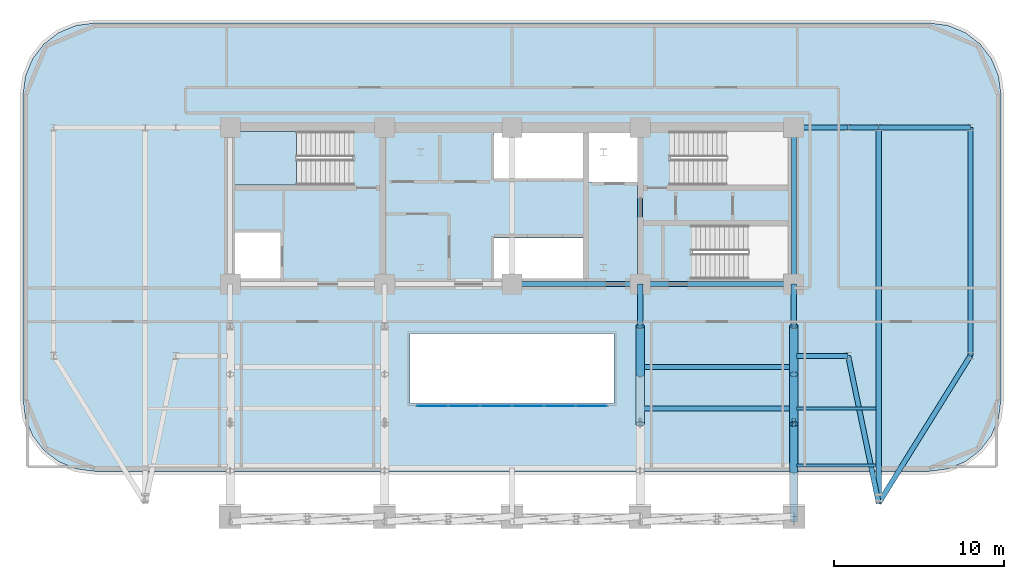
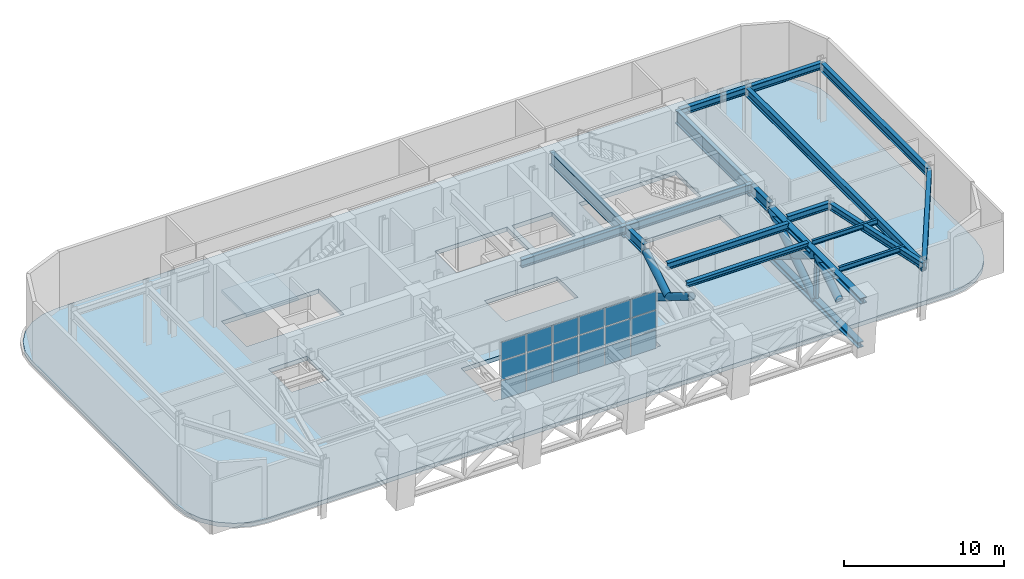
# One storey, part 5 of 13: 18 beams, 18 plates, 9 members, 2 slabs, 2 elements without a shape of their own.
"""IFC4 building model written with IfcOpenShell, lengths in metres."""

import ifcopenshell
import ifcopenshell.guid

model = None  # the IFC model being written
_history = None  # IfcOwnerHistory: only IFC2X3 demands one
_inside = {}  # id of a spatial element -> (the spatial element, [elements in it])
_under = {}  # id of a project, library or spatial element -> (it, [spatial elements below it])
_declared = {}  # id of a project -> (the project, [libraries it declares])
_typed = {}  # id of a type object -> (the type object, [elements of that type])
_made_of = {}  # id of a material, layer set ... -> (it, [elements and type objects made of it])


def new_model(schema):
    """Start an empty IFC model of exactly this schema.

    Asked for "IFC4X3", IfcOpenShell would pick the latest addendum, in which some entities
    have other attributes; the version numbers below select the first issue.
    IFC2X3 requires an IfcOwnerHistory on every rooted entity: one is made here for all.
    """
    global model, _history
    if schema == "IFC4X3":
        model = ifcopenshell.file(schema_version=(4, 3, 0, 0))
    else:
        model = ifcopenshell.file(schema=schema)
    _inside.clear()
    _under.clear()
    _declared.clear()
    _typed.clear()
    _made_of.clear()
    _history = None
    if model.schema == "IFC2X3":
        org = make("IfcOrganization", Name="unknown")
        user = make(
            "IfcPersonAndOrganization",
            ThePerson=make("IfcPerson", FamilyName="unknown"),
            TheOrganization=org,
        )
        app = make(
            "IfcApplication",
            ApplicationDeveloper=org,
            Version="unknown",
            ApplicationFullName="unknown",
            ApplicationIdentifier="unknown",
        )
        _history = make(
            "IfcOwnerHistory",
            OwningUser=user,
            OwningApplication=app,
            ChangeAction="ADDED",
            CreationDate=0,
        )
    return model


def make(cls, **values):
    """One entity of the class cls with the attributes given. An attribute that is None is left unset."""
    return model.create_entity(
        cls, **{name: value for name, value in values.items() if value is not None}
    )


def rooted(cls, **values):
    """An entity with a GlobalId (a new one), such as an element, a storey or a relation."""
    return make(cls, GlobalId=ifcopenshell.guid.new(), OwnerHistory=_history, **values)


def si_unit(unit_type, name, prefix=None):
    """IfcSIUnit, for example si_unit("LENGTHUNIT", "METRE", prefix="MILLI")."""
    return make("IfcSIUnit", UnitType=unit_type, Prefix=prefix, Name=name)


def assignment(units):
    """IfcUnitAssignment: the units of a project."""
    return None if units is None else make("IfcUnitAssignment", Units=units)


def point(xyz):
    """IfcCartesianPoint."""
    return None if xyz is None else make("IfcCartesianPoint", Coordinates=xyz)


def direction(xyz):
    """IfcDirection."""
    return None if xyz is None else make("IfcDirection", DirectionRatios=xyz)


def frame(location, z_axis=None, x_axis=None):
    """IfcAxis2Placement3D, a coordinate frame: its origin and axes. An axis left out is left unset."""
    return make(
        "IfcAxis2Placement3D",
        Location=point(location),
        Axis=direction(z_axis),
        RefDirection=direction(x_axis),
    )


def frame_2d(location, x_axis=None):
    """IfcAxis2Placement2D, a coordinate frame in the plane: its origin and x axis."""
    return make(
        "IfcAxis2Placement2D", Location=point(location), RefDirection=direction(x_axis)
    )


def origin():
    """The frame at (0, 0, 0) with its axes left unset."""
    return frame((0.0, 0.0, 0.0))


def origin_2d():
    """The frame at (0, 0) in the plane with its x axis left unset."""
    return frame_2d((0.0, 0.0))


def place(relative_to, where):
    """IfcLocalPlacement: puts the frame where relative to a parent placement (None: the world)."""
    return make(
        "IfcLocalPlacement", PlacementRelTo=relative_to, RelativePlacement=where
    )


def context(
    kind, dimensions, precision=None, world=None, true_north=None, identifier=None
):
    """IfcGeometricRepresentationContext, for example the 3D "Model" context."""
    return make(
        "IfcGeometricRepresentationContext",
        ContextIdentifier=identifier,
        ContextType=kind,
        CoordinateSpaceDimension=dimensions,
        Precision=precision,
        WorldCoordinateSystem=world,
        TrueNorth=true_north,
    )


def subcontext(parent, identifier, kind, view, scale=None):
    """IfcGeometricRepresentationSubContext, for example "Body" below "Model"."""
    return make(
        "IfcGeometricRepresentationSubContext",
        ContextIdentifier=identifier,
        ContextType=kind,
        ParentContext=parent,
        TargetScale=scale,
        TargetView=view,
    )


def project(units=None, contexts=None):
    """IfcProject with its units and contexts."""
    return rooted(
        "IfcProject",
        Name="project",
        RepresentationContexts=contexts,
        UnitsInContext=assignment(units),
    )


def spatial(cls, under=None, at=None, **own):
    """A site, building, storey or space (cls), placed at a placement, below another one or the project."""
    s = rooted(cls, ObjectPlacement=at, **own)
    if under is not None:
        _under.setdefault(under.id(), (under, []))[1].append(s)
    return s


def polyline(points):
    """IfcPolyline through the points."""
    return make("IfcPolyline", Points=[point(p) for p in points])


def profile(cls, at=None, kind="AREA", **sizes):
    """A parametric profile (cls). Its sizes go by their IFC names, for example OverallWidth=200.0."""
    return make(cls, ProfileType=kind, Position=at, **sizes)


def rectangle(**sizes):
    """IfcRectangleProfileDef."""
    return profile("IfcRectangleProfileDef", **sizes)


def hollow_rectangle(**sizes):
    """IfcRectangleHollowProfileDef."""
    return profile("IfcRectangleHollowProfileDef", **sizes)


def hollow_circle(**sizes):
    """IfcCircleHollowProfileDef."""
    return profile("IfcCircleHollowProfileDef", **sizes)


def i_section(**sizes):
    """IfcIShapeProfileDef."""
    return profile("IfcIShapeProfileDef", **sizes)


def outline(outer, holes=None, kind="AREA"):
    """IfcArbitraryClosedProfileDef: a profile drawn as a closed curve; with holes, ...WithVoids."""
    if holes is None:
        return make("IfcArbitraryClosedProfileDef", ProfileType=kind, OuterCurve=outer)
    return make(
        "IfcArbitraryProfileDefWithVoids",
        ProfileType=kind,
        OuterCurve=outer,
        InnerCurves=holes,
    )


def extrude(swept, where, along, depth):
    """IfcExtrudedAreaSolid: the profile swept, set in the frame where, extruded along a direction by depth."""
    return make(
        "IfcExtrudedAreaSolid",
        SweptArea=swept,
        Position=where,
        ExtrudedDirection=direction(along),
        Depth=depth,
    )


def shape(context_of_items, identifier, shape_type, items):
    """IfcShapeRepresentation: the items that make up one representation, for example the "Body"."""
    return make(
        "IfcShapeRepresentation",
        ContextOfItems=context_of_items,
        RepresentationIdentifier=identifier,
        RepresentationType=shape_type,
        Items=items,
    )


def material(Name=None, Category=None):
    """IfcMaterial."""
    return make("IfcMaterial", Name=Name, Category=Category)


def layer(
    of_material, thickness, ventilated=None, Name=None, Category=None, Priority=None
):
    """IfcMaterialLayer: one layer of a wall or slab, of a material (None: an air gap)."""
    return make(
        "IfcMaterialLayer",
        Material=of_material,
        LayerThickness=thickness,
        IsVentilated=ventilated,
        Name=Name,
        Category=Category,
        Priority=Priority,
    )


def layer_set(layers, Name=None):
    """IfcMaterialLayerSet."""
    return make("IfcMaterialLayerSet", MaterialLayers=layers, LayerSetName=Name)


def material_profile(
    of_material, cross_section, Name=None, Category=None, Priority=None
):
    """IfcMaterialProfile: a cross section and its material."""
    return make(
        "IfcMaterialProfile",
        Name=Name,
        Material=of_material,
        Profile=cross_section,
        Priority=Priority,
        Category=Category,
    )


def profile_set(profiles, Name=None, composite=None):
    """IfcMaterialProfileSet."""
    return make(
        "IfcMaterialProfileSet",
        Name=Name,
        MaterialProfiles=profiles,
        CompositeProfile=composite,
    )


def made_of(thing, what):
    """Note that an element or type object is made of a material, layer set ...; save() writes the relation."""
    if what is not None:
        _made_of.setdefault(what.id(), (what, []))[1].append(thing)
    return thing


def type_object(cls, material=None, **own):
    """A type object (cls), such as IfcWallType, which elements share."""
    return made_of(rooted(cls, **own), material)


def element(
    cls,
    number,
    at=None,
    inside=None,
    cuts=None,
    type_object=None,
    material=None,
    context=None,
    identifier="Body",
    shape_type=None,
    held_by="IfcProductDefinitionShape",
    body=None,
    shapes=None,
    **own,
):
    """One element of the class cls, such as IfcWall. Its Tag is "e" and its number.

    at: its placement. inside: the storey or other place that contains it. cuts: it is an
    opening in that element (IfcRelVoidsElement). A single representation is given by context,
    identifier, shape_type and body (its items); several are given by shapes. held_by: the class
    of the entity that holds the representations. save() writes the other relations.
    """
    e = rooted(cls, Tag="e%d" % number, ObjectPlacement=at, **own)
    if body is not None:
        shapes = [shape(context, identifier, shape_type, body)]
    if shapes is not None:
        e.Representation = make(held_by, Representations=shapes)
    if inside is not None:
        _inside.setdefault(inside.id(), (inside, []))[1].append(e)
    if cuts is not None:
        rooted(
            "IfcRelVoidsElement", RelatingBuildingElement=cuts, RelatedOpeningElement=e
        )
    if type_object is not None:
        _typed.setdefault(type_object.id(), (type_object, []))[1].append(e)
    return made_of(e, material)


def aggregate(whole, parts):
    """IfcRelAggregates: a whole, such as a stair, and the parts it consists of."""
    return rooted("IfcRelAggregates", RelatingObject=whole, RelatedObjects=parts)


def save(model, path):
    """Write the relations noted so far, then the file.

    IfcRelAggregates (storeys below a building ...), IfcRelContainedInSpatialStructure (elements
    in a storey), IfcRelDefinesByType, IfcRelAssociatesMaterial and IfcRelDeclares: one each for
    every whole, place, type object, material and project.
    """
    for whole, parts in _under.values():
        aggregate(whole, parts)
    for where, things in _inside.values():
        rooted(
            "IfcRelContainedInSpatialStructure",
            RelatedElements=things,
            RelatingStructure=where,
        )
    for kind, things in _typed.values():
        rooted("IfcRelDefinesByType", RelatedObjects=things, RelatingType=kind)
    for what, things in _made_of.values():
        rooted("IfcRelAssociatesMaterial", RelatedObjects=things, RelatingMaterial=what)
    for by, libraries in _declared.values():
        rooted("IfcRelDeclares", RelatingContext=by, RelatedDefinitions=libraries)
    model.write(path)


model = new_model("IFC4")

# Units and contexts
model_context = context("Model", 3, precision=1e-05, world=origin(), true_north=direction((0.0, 1.0)))
body_context = subcontext(model_context, "Body", "Model", "MODEL_VIEW")
ifc_project = project(units=[si_unit("LENGTHUNIT", "METRE"), si_unit("AREAUNIT", "SQUARE_METRE"), si_unit("VOLUMEUNIT", "CUBIC_METRE"), si_unit("PLANEANGLEUNIT", "RADIAN"), si_unit("MASSUNIT", "GRAM", prefix="KILO")], contexts=[model_context])

# Site, building, storey
site_placement = place(None, origin())
site = spatial("IfcSite", under=ifc_project, at=site_placement, CompositionType="ELEMENT")
building_placement = place(site_placement, origin())
building = spatial("IfcBuilding", under=site, at=building_placement, Name="Zarnavel Station Tower", CompositionType="ELEMENT")
storey_placement = place(building_placement, frame((0.0, 0.0, 132.89990234375)))
storey = spatial("IfcBuildingStorey", under=building, at=storey_placement, Name="L36", CompositionType="ELEMENT", Elevation=132.89990234375)

# Member
ifc_material_1 = material(Name="Steel S460M", Category="steel")
ifc_material_profile_1 = material_profile(ifc_material_1, hollow_rectangle(XDim=0.199951171875, YDim=0.300048828125, WallThickness=0.012451171875, at=origin_2d()), Name="RHS300x200x12.5")
ifc_profile_set_1 = profile_set([ifc_material_profile_1], Name="Steel S460M")
member_type_1 = type_object("IfcMemberType", Name="BT_POST_RHS300", PredefinedType="POST", material=ifc_profile_set_1)
member_1_placement = place(storey_placement, frame((45.39990234375, 19.749267578125, 0.400146484375), z_axis=(0.0, -0.045305678131, 0.998973170575), x_axis=(1.0, 0.0, 0.0)))
element("IfcMember", 1, at=member_1_placement, inside=storey, type_object=member_type_1, Name="L36 Outrigger Mid-Span Post 4", PredefinedType="POST", context=body_context, shape_type="SweptSolid", body=[
    extrude(hollow_rectangle(XDim=0.199951171875, YDim=0.300048828125, WallThickness=0.012451171875, at=origin_2d()), origin(), (0.0, 0.0, 1.0), 3.58349609375),
])

# Beams
ifc_material_2 = material(Name="Steel S355J2", Category="steel")
ifc_material_profile_2 = material_profile(ifc_material_2, i_section(OverallWidth=0.300048828125, OverallDepth=0.35009765625, WebThickness=0.010009765625, FlangeThickness=0.017578125, FilletRadius=0.027099609375, at=origin_2d()), Name="HEA360")
ifc_profile_set_2 = profile_set([ifc_material_profile_2], Name="Steel S355J2")
beam_type_1 = type_object("IfcBeamType", Name="FB_HEA360", PredefinedType="BEAM", material=ifc_profile_set_2)
beam_1_placement = place(storey_placement, frame((36.4951171875, 20.4892578125, 4.30517578125), z_axis=(1.0, 0.0, 0.0), x_axis=(0.0, 1.0, 0.0)))
element("IfcBeam", 2, at=beam_1_placement, inside=storey, type_object=beam_type_1, Name="L36 East Bay Beam 2", PredefinedType="BEAM", context=body_context, shape_type="SweptSolid", body=[
    extrude(i_section(OverallWidth=0.300048828125, OverallDepth=0.35009765625, WebThickness=0.010009765625, FlangeThickness=0.017578125, FilletRadius=0.027099609375, at=origin_2d()), origin(), (0.0, 0.0, 1.0), 8.759765625),
])
ifc_material_3 = material(Name="Steel S355J2", Category="steel")
ifc_material_profile_3 = material_profile(ifc_material_3, i_section(OverallWidth=0.300048828125, OverallDepth=0.489990234375, WebThickness=0.011962890625, FlangeThickness=0.02294921875, FilletRadius=0.027099609375, at=origin_2d()), Name="HEA500")
ifc_profile_set_3 = profile_set([ifc_material_profile_3], Name="Steel S355J2")
beam_type_2 = type_object("IfcBeamType", Name="FB_HEA500", PredefinedType="BEAM", material=ifc_profile_set_3)
beam_2_placement = place(storey_placement, frame((36.4951171875, 22.944580078125, 4.235107421875), z_axis=(1.0, 0.0, 0.0), x_axis=(0.0, 1.0, 0.0)))
element("IfcBeam", 3, at=beam_2_placement, inside=storey, type_object=beam_type_2, Name="L36 East Bay Beam 3", PredefinedType="BEAM", context=body_context, shape_type="SweptSolid", body=[
    extrude(i_section(OverallWidth=0.300048828125, OverallDepth=0.489990234375, WebThickness=0.011962890625, FlangeThickness=0.02294921875, FilletRadius=0.027099609375, at=origin_2d()), origin(), (0.0, 0.0, 1.0), 8.759765625),
])
ifc_material_4 = material(Name="Steel S355J2", Category="steel")
ifc_material_profile_4 = material_profile(ifc_material_4, i_section(OverallWidth=0.300048828125, OverallDepth=0.5, WebThickness=0.014404296875, FlangeThickness=0.028076171875, FilletRadius=0.027099609375, at=origin_2d()), Name="HEB500")
ifc_profile_set_4 = profile_set([ifc_material_profile_4], Name="Steel S355J2")
beam_type_3 = type_object("IfcBeamType", Name="FG_HEB500", PredefinedType="USERDEFINED", material=ifc_profile_set_4)
for number, where, z_axis, x_axis, name in (
    (4, (45.544921875, 23.60009765625, 4.22998046875), (1.0, 0.0, 0.0), (0.0, 1.0, 0.0), "L36 East Wing South Tie 1"),
    (5, (45.544921875, 37.050048828125, 4.22998046875), (1.0, 0.0, 0.0), (0.0, 1.0, 0.0), "L36 East Wing North Tie 1"),
):
    element("IfcBeam", number, at=place(storey_placement, frame(where, z_axis=z_axis, x_axis=x_axis)), inside=storey, type_object=beam_type_3, Name=name, ObjectType="GIRDER", PredefinedType="USERDEFINED", context=body_context, shape_type="SweptSolid", body=[
        extrude(i_section(OverallWidth=0.300048828125, OverallDepth=0.5, WebThickness=0.014404296875, FlangeThickness=0.028076171875, FilletRadius=0.027099609375, at=origin_2d()), origin(), (0.0, 0.0, 1.0), 3.05517578125),
    ])
beam_3_placement = place(storey_placement, frame((48.60009765625, 23.60009765625, 4.22998046875), z_axis=(0.202880423542, -0.979203520083, 0.0), x_axis=(0.979203520083, 0.202880423542, 0.0)))
element("IfcBeam", 6, at=beam_3_placement, inside=storey, type_object=beam_type_3, Name="L36 East Wing South Tie 2", ObjectType="GIRDER", PredefinedType="USERDEFINED", context=body_context, shape_type="SweptSolid", body=[
    extrude(i_section(OverallWidth=0.300048828125, OverallDepth=0.5, WebThickness=0.014404296875, FlangeThickness=0.028076171875, FilletRadius=0.027099609375, at=origin_2d()), origin(), (0.0, 0.0, 1.0), 8.871337890625),
])
beam_4_placement = place(storey_placement, frame((48.60009765625, 37.050048828125, 4.22998046875), z_axis=(1.0, 0.0, 0.0), x_axis=(0.0, 1.0, 0.0)))
element("IfcBeam", 7, at=beam_4_placement, inside=storey, type_object=beam_type_3, Name="L36 East Wing North Tie 2", ObjectType="GIRDER", PredefinedType="USERDEFINED", context=body_context, shape_type="SweptSolid", body=[
    extrude(i_section(OverallWidth=0.300048828125, OverallDepth=0.5, WebThickness=0.014404296875, FlangeThickness=0.028076171875, FilletRadius=0.027099609375, at=origin_2d()), origin(), (0.0, 0.0, 1.0), 1.7998046875),
])
beam_5_placement = place(storey_placement, frame((50.39990234375, 14.913330078125, 4.22998046875), z_axis=(0.527952733085, 0.84927375541, 0.0), x_axis=(-0.84927375541, 0.527952733085, 0.0)))
element("IfcBeam", 8, at=beam_5_placement, inside=storey, type_object=beam_type_3, Name="L36 East Wing South Tie 3", ObjectType="GIRDER", PredefinedType="USERDEFINED", context=body_context, shape_type="SweptSolid", body=[
    extrude(i_section(OverallWidth=0.300048828125, OverallDepth=0.5, WebThickness=0.014404296875, FlangeThickness=0.028076171875, FilletRadius=0.027099609375, at=origin_2d()), origin(), (0.0, 0.0, 1.0), 10.228515625),
])
beam_6_placement = place(storey_placement, frame((50.39990234375, 37.050048828125, 4.22998046875), z_axis=(1.0, 0.0, 0.0), x_axis=(0.0, 1.0, 0.0)))
element("IfcBeam", 9, at=beam_6_placement, inside=storey, type_object=beam_type_3, Name="L36 East Wing North Tie 3", ObjectType="GIRDER", PredefinedType="USERDEFINED", context=body_context, shape_type="SweptSolid", body=[
    extrude(i_section(OverallWidth=0.300048828125, OverallDepth=0.5, WebThickness=0.014404296875, FlangeThickness=0.028076171875, FilletRadius=0.027099609375, at=origin_2d()), origin(), (0.0, 0.0, 1.0), 5.400146484375),
])
ifc_material_5 = material(Name="Steel S355J2", Category="steel")
ifc_material_profile_5 = material_profile(ifc_material_5, i_section(OverallWidth=0.300048828125, OverallDepth=0.60009765625, WebThickness=0.015380859375, FlangeThickness=0.030029296875, FilletRadius=0.027099609375, at=origin_2d()), Name="HEB600")
ifc_profile_set_5 = profile_set([ifc_material_profile_5], Name="Steel S355J2")
beam_type_4 = type_object("IfcBeamType", Name="FG_HEB600", PredefinedType="USERDEFINED", material=ifc_profile_set_5)
beam_7_placement = place(storey_placement, frame((28.800048828125, 27.820068359375, 4.18017578125), z_axis=(1.0, 0.0, 0.0), x_axis=(0.0, 1.0, 0.0)))
element("IfcBeam", 10, at=beam_7_placement, inside=storey, type_object=beam_type_4, Name="L36 Core Front Coupling Beam 3", ObjectType="GIRDER", PredefinedType="USERDEFINED", context=body_context, shape_type="SweptSolid", body=[
    extrude(i_section(OverallWidth=0.300048828125, OverallDepth=0.60009765625, WebThickness=0.015380859375, FlangeThickness=0.030029296875, FilletRadius=0.027099609375, at=origin_2d()), origin(), (0.0, 0.0, 1.0), 7.550048828125),
])
beam_8_placement = place(storey_placement, frame((36.35009765625, 27.820068359375, 4.18017578125), z_axis=(1.0, 0.0, 0.0), x_axis=(0.0, 1.0, 0.0)))
element("IfcBeam", 11, at=beam_8_placement, inside=storey, type_object=beam_type_4, Name="L36 Core Front Coupling Beam 4", ObjectType="GIRDER", PredefinedType="USERDEFINED", context=body_context, shape_type="SweptSolid", body=[
    extrude(i_section(OverallWidth=0.300048828125, OverallDepth=0.60009765625, WebThickness=0.015380859375, FlangeThickness=0.030029296875, FilletRadius=0.027099609375, at=origin_2d()), origin(), (0.0, 0.0, 1.0), 9.0498046875),
])
ifc_material_6 = material(Name="Steel S355J2", Category="steel")
ifc_material_profile_6 = material_profile(ifc_material_6, i_section(OverallWidth=0.300048828125, OverallDepth=0.64990234375, WebThickness=0.01611328125, FlangeThickness=0.031005859375, FilletRadius=0.027099609375, at=origin_2d()), Name="HEB650")
ifc_profile_set_6 = profile_set([ifc_material_profile_6], Name="Steel S355J2")
beam_type_5 = type_object("IfcBeamType", Name="FG_HEB650", PredefinedType="USERDEFINED", material=ifc_profile_set_6)
beam_9_placement = place(storey_placement, frame((50.39990234375, 14.913330078125, 4.155029296875), z_axis=(0.0, 1.0, 0.0), x_axis=(-1.0, 0.0, 0.0)))
element("IfcBeam", 12, at=beam_9_placement, inside=storey, type_object=beam_type_5, Name="L36 Wing NS Girder 3", ObjectType="GIRDER", PredefinedType="USERDEFINED", context=body_context, shape_type="SweptSolid", body=[
    extrude(i_section(OverallWidth=0.300048828125, OverallDepth=0.64990234375, WebThickness=0.01611328125, FlangeThickness=0.031005859375, FilletRadius=0.027099609375, at=origin_2d()), origin(), (0.0, 0.0, 1.0), 22.13671875),
])
beam_10_placement = place(storey_placement, frame((55.800048828125, 23.60009765625, 4.155029296875), z_axis=(0.0, 1.0, 0.0), x_axis=(-1.0, 0.0, 0.0)))
element("IfcBeam", 13, at=beam_10_placement, inside=storey, type_object=beam_type_5, Name="L36 Wing NS Girder 4", ObjectType="GIRDER", PredefinedType="USERDEFINED", context=body_context, shape_type="SweptSolid", body=[
    extrude(i_section(OverallWidth=0.300048828125, OverallDepth=0.64990234375, WebThickness=0.01611328125, FlangeThickness=0.031005859375, FilletRadius=0.027099609375, at=origin_2d()), origin(), (0.0, 0.0, 1.0), 13.449951171875),
])
ifc_material_7 = material(Name="Steel S460M", Category="steel")
ifc_material_profile_7 = material_profile(ifc_material_7, i_section(OverallWidth=0.302978515625, OverallDepth=0.81396484375, WebThickness=0.02099609375, FlangeThickness=0.0400390625, FilletRadius=0.030029296875, at=origin_2d()), Name="HEM800")
ifc_profile_set_7 = profile_set([ifc_material_profile_7], Name="Steel S460M")
beam_type_6 = type_object("IfcBeamType", Name="FG_HEM800", PredefinedType="USERDEFINED", material=ifc_profile_set_7)
for number, where, z_axis, x_axis, name in (
    (14, (36.35009765625, 25.35009765625, 4.072998046875), (0.0, 1.0, 0.0), (-1.0, 0.0, 0.0), "L36 Inner-Zone NS Girder 4"),
    (15, (45.39990234375, 25.35009765625, 4.072998046875), (0.0, 1.0, 0.0), (-1.0, 0.0, 0.0), "L36 Inner-Zone NS Girder 5"),
):
    element("IfcBeam", number, at=place(storey_placement, frame(where, z_axis=z_axis, x_axis=x_axis)), inside=storey, type_object=beam_type_6, Name=name, ObjectType="GIRDER", PredefinedType="USERDEFINED", context=body_context, shape_type="SweptSolid", body=[
        extrude(i_section(OverallWidth=0.302978515625, OverallDepth=0.81396484375, WebThickness=0.02099609375, FlangeThickness=0.0400390625, FilletRadius=0.030029296875, at=origin_2d()), origin(), (0.0, 0.0, 1.0), 2.469970703125),
    ])
ifc_material_8 = material(Name="Steel S355J2", Category="steel")
ifc_material_profile_8 = material_profile(ifc_material_8, i_section(OverallWidth=0.169921875, OverallDepth=0.360107421875, WebThickness=0.008056640625, FlangeThickness=0.0126953125, FilletRadius=0.01806640625, at=origin_2d()), Name="IPE360")
ifc_profile_set_8 = profile_set([ifc_material_profile_8], Name="Steel S355J2")
beam_type_7 = type_object("IfcBeamType", Name="FJ_IPE360", PredefinedType="JOIST", material=ifc_profile_set_8)
for number, where, z_axis, x_axis, name in (
    (16, (45.544921875, 17.1337890625, 4.300048828125), (1.0, 0.0, 0.0), (0.0, 1.0, 0.0), "L36 East Wing Joist 1"),
    (17, (45.544921875, 20.4892578125, 4.300048828125), (1.0, 0.0, 0.0), (0.0, 1.0, 0.0), "L36 East Wing Joist 2"),
):
    element("IfcBeam", number, at=place(storey_placement, frame(where, z_axis=z_axis, x_axis=x_axis)), inside=storey, type_object=beam_type_7, Name=name, PredefinedType="JOIST", context=body_context, shape_type="SweptSolid", body=[
        extrude(i_section(OverallWidth=0.169921875, OverallDepth=0.360107421875, WebThickness=0.008056640625, FlangeThickness=0.0126953125, FilletRadius=0.01806640625, at=origin_2d()), origin(), (0.0, 0.0, 1.0), 4.7099609375),
    ])

# Members
ifc_material_9 = material(Name="Steel S460M", Category="steel")
ifc_material_profile_9 = material_profile(ifc_material_9, i_section(OverallWidth=0.41796875, OverallDepth=0.431884765625, WebThickness=0.034912109375, FlangeThickness=0.055908203125, FilletRadius=0.014892578125, at=origin_2d()), Name="HD400x421")
ifc_profile_set_9 = profile_set([ifc_material_profile_9], Name="Steel S460M")
member_type_2 = type_object("IfcMemberType", Name="OT_CHORD_HD421", PredefinedType="CHORD", material=ifc_profile_set_9)
member_2_placement = place(storey_placement, frame((45.39990234375, 14.148193359375, 0.400146484375), z_axis=(0.0, 1.0, 0.0), x_axis=(-1.0, 0.0, 0.0)))
element("IfcMember", 18, at=member_2_placement, inside=storey, type_object=member_type_2, Name="L36 Outrigger Bottom Chord 4", PredefinedType="CHORD", context=body_context, shape_type="SweptSolid", body=[
    extrude(i_section(OverallWidth=0.41796875, OverallDepth=0.431884765625, WebThickness=0.034912109375, FlangeThickness=0.055908203125, FilletRadius=0.014892578125, at=origin_2d()), origin(), (0.0, 0.0, 1.0), 11.201904296875),
])
member_3_placement = place(storey_placement, frame((45.39990234375, 13.823974609375, 3.97998046875), z_axis=(0.0, 1.0, 0.0), x_axis=(-1.0, 0.0, 0.0)))
element("IfcMember", 19, at=member_3_placement, inside=storey, type_object=member_type_2, Name="L36 Outrigger Top Chord 4", PredefinedType="CHORD", context=body_context, shape_type="SweptSolid", body=[
    extrude(i_section(OverallWidth=0.41796875, OverallDepth=0.431884765625, WebThickness=0.034912109375, FlangeThickness=0.055908203125, FilletRadius=0.014892578125, at=origin_2d()), origin(), (0.0, 0.0, 1.0), 11.526123046875),
])
ifc_material_10 = material(Name="Steel S460M", Category="steel")
ifc_material_profile_10 = material_profile(ifc_material_10, hollow_circle(Radius=0.25390625, WallThickness=0.02001953125, at=origin_2d()), Name="CHS508x20")
ifc_profile_set_10 = profile_set([ifc_material_profile_10], Name="Steel S460M")
member_type_3 = type_object("IfcMemberType", Name="OT_DIAG_CHS508", PredefinedType="STRUT", material=ifc_profile_set_10)
member_4_placement = place(storey_placement, frame((36.35009765625, 25.35009765625, 0.400146484375), z_axis=(0.0, -0.849462756708, 0.527648580938), x_axis=(1.0, 0.0, 0.0)))
element("IfcMember", 20, at=member_4_placement, inside=storey, type_object=member_type_3, Name="L36 Outrigger Continuous Inner Diagonal 3", PredefinedType="STRUT", context=body_context, shape_type="SweptSolid", body=[
    extrude(hollow_circle(Radius=0.25390625, WallThickness=0.02001953125, at=origin_2d()), origin(), (0.0, 0.0, 1.0), 6.784423828125),
])
member_5_placement = place(storey_placement, frame((36.35009765625, 22.509033203125, 2.190185546875), z_axis=(0.0, 0.846101683144, 0.533021520936), x_axis=(-1.0, 0.0, 0.0)))
element("IfcMember", 21, at=member_5_placement, inside=storey, type_object=member_type_3, Name="L36 Outrigger Split Inner Strut Upper 3", PredefinedType="STRUT", context=body_context, shape_type="SweptSolid", body=[
    extrude(hollow_circle(Radius=0.25390625, WallThickness=0.02001953125, at=origin_2d()), origin(), (0.0, 0.0, 1.0), 3.35791015625),
])
member_6_placement = place(storey_placement, frame((45.39990234375, 25.35009765625, 0.400146484375), z_axis=(0.0, -0.849462756708, 0.527648580938), x_axis=(1.0, 0.0, 0.0)))
element("IfcMember", 22, at=member_6_placement, inside=storey, type_object=member_type_3, Name="L36 Outrigger Continuous Inner Diagonal 4", PredefinedType="STRUT", context=body_context, shape_type="SweptSolid", body=[
    extrude(hollow_circle(Radius=0.25390625, WallThickness=0.02001953125, at=origin_2d()), origin(), (0.0, 0.0, 1.0), 6.784423828125),
])
member_7_placement = place(storey_placement, frame((45.39990234375, 19.749267578125, 0.400146484375), z_axis=(0.0, 0.83897227662, 0.544174162436), x_axis=(-1.0, 0.0, 0.0)))
element("IfcMember", 23, at=member_7_placement, inside=storey, type_object=member_type_3, Name="L36 Outrigger Split Inner Strut Lower 4", PredefinedType="STRUT", context=body_context, shape_type="SweptSolid", body=[
    extrude(hollow_circle(Radius=0.25390625, WallThickness=0.02001953125, at=origin_2d()), origin(), (0.0, 0.0, 1.0), 3.28955078125),
])
member_8_placement = place(storey_placement, frame((45.39990234375, 22.509033203125, 2.190185546875), z_axis=(0.0, 0.846101683144, 0.533021520936), x_axis=(-1.0, 0.0, 0.0)))
element("IfcMember", 24, at=member_8_placement, inside=storey, type_object=member_type_3, Name="L36 Outrigger Split Inner Strut Upper 4", PredefinedType="STRUT", context=body_context, shape_type="SweptSolid", body=[
    extrude(hollow_circle(Radius=0.25390625, WallThickness=0.02001953125, at=origin_2d()), origin(), (0.0, 0.0, 1.0), 3.35791015625),
])
member_9_placement = place(storey_placement, frame((45.39990234375, 16.8271484375, 2.190185546875), z_axis=(0.0, 0.839006160855, 0.544121918367), x_axis=(-1.0, 0.0, 0.0)))
element("IfcMember", 25, at=member_9_placement, inside=storey, type_object=member_type_3, Name="L36 Outrigger Split Outer Strut Upper 4", PredefinedType="STRUT", context=body_context, shape_type="SweptSolid", body=[
    extrude(hollow_circle(Radius=0.25390625, WallThickness=0.02001953125, at=origin_2d()), origin(), (0.0, 0.0, 1.0), 3.289306640625),
])

# Beams
ifc_material_11 = material(Name="Steel S460M", Category="steel")
ifc_material_profile_11 = material_profile(ifc_material_11, i_section(OverallWidth=0.302001953125, OverallDepth=1.008056640625, WebThickness=0.02099609375, FlangeThickness=0.0400390625, FilletRadius=0.030029296875, at=origin_2d()), Name="HEM1000")
ifc_profile_set_11 = profile_set([ifc_material_profile_11], Name="Steel S460M")
beam_type_8 = type_object("IfcBeamType", Name="TG_HEM1000", PredefinedType="USERDEFINED", material=ifc_profile_set_11)
for number, where, z_axis, x_axis, name in (
    (26, (36.35009765625, 27.820068359375, 3.97607421875), (0.0, 1.0, 0.0), (-1.0, 0.0, 0.0), "L36 Core Spine Coupling Girder 4"),
    (27, (45.39990234375, 27.820068359375, 3.97607421875), (0.0, 1.0, 0.0), (-1.0, 0.0, 0.0), "L36 Core Spine Coupling Girder 5"),
):
    element("IfcBeam", number, at=place(storey_placement, frame(where, z_axis=z_axis, x_axis=x_axis)), inside=storey, type_object=beam_type_8, Name=name, ObjectType="GIRDER", PredefinedType="USERDEFINED", context=body_context, shape_type="SweptSolid", body=[
        extrude(i_section(OverallWidth=0.302001953125, OverallDepth=1.008056640625, WebThickness=0.02099609375, FlangeThickness=0.0400390625, FilletRadius=0.030029296875, at=origin_2d()), origin(), (0.0, 0.0, 1.0), 9.22998046875),
    ])

# Curtain wall, plates
ifc_material_12 = material(Name="Aluminium Dark Anodised and Solar-Control Glass", Category="aluminium")
ifc_layer_1 = layer(ifc_material_12, 0.179931640625)
ifc_layer_set_1 = layer_set([ifc_layer_1], Name="CWS4")
curtain_wall_type = type_object("IfcCurtainWallType", Name="CWS4", PredefinedType="NOTDEFINED", material=ifc_layer_set_1)
curtain_wall_placement = place(storey_placement, origin())
curtain_wall = element("IfcCurtainWall", 28, at=curtain_wall_placement, inside=storey, type_object=curtain_wall_type, Name="L36 Curtain Wall CWS4-L36-AS", PredefinedType="NOTDEFINED")
ifc_material_13 = material(Name="Double Low-E Dark Solar-Control Glass", Category="glass")
ifc_layer_2 = layer(ifc_material_13, 0.031982421875)
ifc_layer_set_2 = layer_set([ifc_layer_2], Name="CWS4_PNL")
plate_type = type_object("IfcPlateType", Name="CWS4_PNL", PredefinedType="CURTAIN_PANEL", material=ifc_layer_set_2)
plate_1_placement = place(storey_placement, frame((24.106689453125, 20.64990234375, 0.06005859375), z_axis=(0.0, 0.0, 1.0), x_axis=(1.0, 0.0, 0.0)))
plate_1 = element("IfcPlate", 29, at=plate_1_placement, type_object=plate_type, Name="CW4 panel 1.1", PredefinedType="CURTAIN_PANEL", context=body_context, shape_type="SweptSolid", body=[
    extrude(rectangle(XDim=1.793212890625, YDim=0.028076171875, at=origin_2d()), origin(), (0.0, 0.0, 1.0), 1.4033203125),
])
plate_2_placement = place(storey_placement, frame((24.106689453125, 20.64990234375, 1.5234375), z_axis=(0.0, 0.0, 1.0), x_axis=(1.0, 0.0, 0.0)))
plate_2 = element("IfcPlate", 30, at=plate_2_placement, type_object=plate_type, Name="CW4 panel 1.2", PredefinedType="CURTAIN_PANEL", context=body_context, shape_type="SweptSolid", body=[
    extrude(rectangle(XDim=1.793212890625, YDim=0.028076171875, at=origin_2d()), origin(), (0.0, 0.0, 1.0), 1.433349609375),
])
plate_3_placement = place(storey_placement, frame((24.106689453125, 20.64990234375, 3.016845703125), z_axis=(0.0, 0.0, 1.0), x_axis=(1.0, 0.0, 0.0)))
plate_3 = element("IfcPlate", 31, at=plate_3_placement, type_object=plate_type, Name="CW4 panel 1.3", PredefinedType="CURTAIN_PANEL", context=body_context, shape_type="SweptSolid", body=[
    extrude(rectangle(XDim=1.793212890625, YDim=0.028076171875, at=origin_2d()), origin(), (0.0, 0.0, 1.0), 1.4033203125),
])
plate_4_placement = place(storey_placement, frame((25.97509765625, 20.64990234375, 0.06005859375), z_axis=(0.0, 0.0, 1.0), x_axis=(1.0, 0.0, 0.0)))
plate_4 = element("IfcPlate", 32, at=plate_4_placement, type_object=plate_type, Name="CW4 panel 2.1", PredefinedType="CURTAIN_PANEL", context=body_context, shape_type="SweptSolid", body=[
    extrude(rectangle(XDim=1.8232421875, YDim=0.028076171875, at=origin_2d()), origin(), (0.0, 0.0, 1.0), 1.4033203125),
])
plate_5_placement = place(storey_placement, frame((25.97509765625, 20.64990234375, 1.5234375), z_axis=(0.0, 0.0, 1.0), x_axis=(1.0, 0.0, 0.0)))
plate_5 = element("IfcPlate", 33, at=plate_5_placement, type_object=plate_type, Name="CW4 panel 2.2", PredefinedType="CURTAIN_PANEL", context=body_context, shape_type="SweptSolid", body=[
    extrude(rectangle(XDim=1.8232421875, YDim=0.028076171875, at=origin_2d()), origin(), (0.0, 0.0, 1.0), 1.433349609375),
])
plate_6_placement = place(storey_placement, frame((25.97509765625, 20.64990234375, 3.016845703125), z_axis=(0.0, 0.0, 1.0), x_axis=(1.0, 0.0, 0.0)))
plate_6 = element("IfcPlate", 34, at=plate_6_placement, type_object=plate_type, Name="CW4 panel 2.3", PredefinedType="CURTAIN_PANEL", context=body_context, shape_type="SweptSolid", body=[
    extrude(rectangle(XDim=1.8232421875, YDim=0.028076171875, at=origin_2d()), origin(), (0.0, 0.0, 1.0), 1.4033203125),
])
plate_7_placement = place(storey_placement, frame((27.8583984375, 20.64990234375, 0.06005859375), z_axis=(0.0, 0.0, 1.0), x_axis=(1.0, 0.0, 0.0)))
plate_7 = element("IfcPlate", 35, at=plate_7_placement, type_object=plate_type, Name="CW4 panel 3.1", PredefinedType="CURTAIN_PANEL", context=body_context, shape_type="SweptSolid", body=[
    extrude(rectangle(XDim=1.8232421875, YDim=0.028076171875, at=origin_2d()), origin(), (0.0, 0.0, 1.0), 1.4033203125),
])
plate_8_placement = place(storey_placement, frame((27.8583984375, 20.64990234375, 1.5234375), z_axis=(0.0, 0.0, 1.0), x_axis=(1.0, 0.0, 0.0)))
plate_8 = element("IfcPlate", 36, at=plate_8_placement, type_object=plate_type, Name="CW4 panel 3.2", PredefinedType="CURTAIN_PANEL", context=body_context, shape_type="SweptSolid", body=[
    extrude(rectangle(XDim=1.8232421875, YDim=0.028076171875, at=origin_2d()), origin(), (0.0, 0.0, 1.0), 1.433349609375),
])
plate_9_placement = place(storey_placement, frame((27.8583984375, 20.64990234375, 3.016845703125), z_axis=(0.0, 0.0, 1.0), x_axis=(1.0, 0.0, 0.0)))
plate_9 = element("IfcPlate", 37, at=plate_9_placement, type_object=plate_type, Name="CW4 panel 3.3", PredefinedType="CURTAIN_PANEL", context=body_context, shape_type="SweptSolid", body=[
    extrude(rectangle(XDim=1.8232421875, YDim=0.028076171875, at=origin_2d()), origin(), (0.0, 0.0, 1.0), 1.4033203125),
])
plate_10_placement = place(storey_placement, frame((29.74169921875, 20.64990234375, 0.06005859375), z_axis=(0.0, 0.0, 1.0), x_axis=(1.0, 0.0, 0.0)))
plate_10 = element("IfcPlate", 38, at=plate_10_placement, type_object=plate_type, Name="CW4 panel 4.1", PredefinedType="CURTAIN_PANEL", context=body_context, shape_type="SweptSolid", body=[
    extrude(rectangle(XDim=1.8232421875, YDim=0.028076171875, at=origin_2d()), origin(), (0.0, 0.0, 1.0), 1.4033203125),
])
plate_11_placement = place(storey_placement, frame((29.74169921875, 20.64990234375, 1.5234375), z_axis=(0.0, 0.0, 1.0), x_axis=(1.0, 0.0, 0.0)))
plate_11 = element("IfcPlate", 39, at=plate_11_placement, type_object=plate_type, Name="CW4 panel 4.2", PredefinedType="CURTAIN_PANEL", context=body_context, shape_type="SweptSolid", body=[
    extrude(rectangle(XDim=1.8232421875, YDim=0.028076171875, at=origin_2d()), origin(), (0.0, 0.0, 1.0), 1.433349609375),
])
plate_12_placement = place(storey_placement, frame((29.74169921875, 20.64990234375, 3.016845703125), z_axis=(0.0, 0.0, 1.0), x_axis=(1.0, 0.0, 0.0)))
plate_12 = element("IfcPlate", 40, at=plate_12_placement, type_object=plate_type, Name="CW4 panel 4.3", PredefinedType="CURTAIN_PANEL", context=body_context, shape_type="SweptSolid", body=[
    extrude(rectangle(XDim=1.8232421875, YDim=0.028076171875, at=origin_2d()), origin(), (0.0, 0.0, 1.0), 1.4033203125),
])
plate_13_placement = place(storey_placement, frame((31.625, 20.64990234375, 0.06005859375), z_axis=(0.0, 0.0, 1.0), x_axis=(1.0, 0.0, 0.0)))
plate_13 = element("IfcPlate", 41, at=plate_13_placement, type_object=plate_type, Name="CW4 panel 5.1", PredefinedType="CURTAIN_PANEL", context=body_context, shape_type="SweptSolid", body=[
    extrude(rectangle(XDim=1.8232421875, YDim=0.028076171875, at=origin_2d()), origin(), (0.0, 0.0, 1.0), 1.4033203125),
])
plate_14_placement = place(storey_placement, frame((31.625, 20.64990234375, 1.5234375), z_axis=(0.0, 0.0, 1.0), x_axis=(1.0, 0.0, 0.0)))
plate_14 = element("IfcPlate", 42, at=plate_14_placement, type_object=plate_type, Name="CW4 panel 5.2", PredefinedType="CURTAIN_PANEL", context=body_context, shape_type="SweptSolid", body=[
    extrude(rectangle(XDim=1.8232421875, YDim=0.028076171875, at=origin_2d()), origin(), (0.0, 0.0, 1.0), 1.433349609375),
])
plate_15_placement = place(storey_placement, frame((31.625, 20.64990234375, 3.016845703125), z_axis=(0.0, 0.0, 1.0), x_axis=(1.0, 0.0, 0.0)))
plate_15 = element("IfcPlate", 43, at=plate_15_placement, type_object=plate_type, Name="CW4 panel 5.3", PredefinedType="CURTAIN_PANEL", context=body_context, shape_type="SweptSolid", body=[
    extrude(rectangle(XDim=1.8232421875, YDim=0.028076171875, at=origin_2d()), origin(), (0.0, 0.0, 1.0), 1.4033203125),
])
plate_16_placement = place(storey_placement, frame((33.493408203125, 20.64990234375, 0.06005859375), z_axis=(0.0, 0.0, 1.0), x_axis=(1.0, 0.0, 0.0)))
plate_16 = element("IfcPlate", 44, at=plate_16_placement, type_object=plate_type, Name="CW4 panel 6.1", PredefinedType="CURTAIN_PANEL", context=body_context, shape_type="SweptSolid", body=[
    extrude(rectangle(XDim=1.793212890625, YDim=0.028076171875, at=origin_2d()), origin(), (0.0, 0.0, 1.0), 1.4033203125),
])
plate_17_placement = place(storey_placement, frame((33.493408203125, 20.64990234375, 1.5234375), z_axis=(0.0, 0.0, 1.0), x_axis=(1.0, 0.0, 0.0)))
plate_17 = element("IfcPlate", 45, at=plate_17_placement, type_object=plate_type, Name="CW4 panel 6.2", PredefinedType="CURTAIN_PANEL", context=body_context, shape_type="SweptSolid", body=[
    extrude(rectangle(XDim=1.793212890625, YDim=0.028076171875, at=origin_2d()), origin(), (0.0, 0.0, 1.0), 1.433349609375),
])
plate_18_placement = place(storey_placement, frame((33.493408203125, 20.64990234375, 3.016845703125), z_axis=(0.0, 0.0, 1.0), x_axis=(1.0, 0.0, 0.0)))
plate_18 = element("IfcPlate", 46, at=plate_18_placement, type_object=plate_type, Name="CW4 panel 6.3", PredefinedType="CURTAIN_PANEL", context=body_context, shape_type="SweptSolid", body=[
    extrude(rectangle(XDim=1.793212890625, YDim=0.028076171875, at=origin_2d()), origin(), (0.0, 0.0, 1.0), 1.4033203125),
])
aggregate(curtain_wall, [plate_1, plate_2, plate_3, plate_4, plate_5, plate_6, plate_7, plate_8, plate_9, plate_10, plate_11, plate_12, plate_13, plate_14, plate_15, plate_16, plate_17, plate_18])

# Slab
ifc_material_14 = material(Name="Concrete C45/55", Category="concrete")
ifc_layer_3 = layer(ifc_material_14, 0.320068359375)
ifc_layer_set_3 = layer_set([ifc_layer_3], Name="SL_FLR_320")
slab_type_1 = type_object("IfcSlabType", Name="SL_FLR_320", PredefinedType="FLOOR", material=ifc_layer_set_3)
slab_1_placement = place(storey_placement, frame((0.0, 0.0, -0.31982421875)))
element("IfcSlab", 47, at=slab_1_placement, inside=storey, type_object=slab_type_1, Name="L36 Structural Floor Slab", PredefinedType="FLOOR", context=body_context, shape_type="SweptSolid", body=[
    extrude(outline(polyline([(53.39990234375, 16.800048828125), (54.487060546875, 16.943115234375), (55.5, 17.36279296875), (56.369873046875, 18.0302734375), (57.037353515625, 18.89990234375), (57.456787109375, 19.9130859375), (57.60009765625, 21.0), (57.60009765625, 39.0), (57.456787109375, 40.0869140625), (57.037353515625, 41.10009765625), (56.369873046875, 41.9697265625), (55.5, 42.63720703125), (54.487060546875, 43.056884765625), (53.39990234375, 43.199951171875), (4.199951171875, 43.199951171875), (3.113037109375, 43.056884765625), (2.10009765625, 42.63720703125), (1.230224609375, 41.9697265625), (0.562744140625, 41.10009765625), (0.14306640625, 40.0869140625), (0.0, 39.0), (0.0, 21.0), (0.14306640625, 19.9130859375), (0.562744140625, 18.89990234375), (1.230224609375, 18.0302734375), (2.10009765625, 17.36279296875), (3.113037109375, 16.943115234375), (4.199951171875, 16.800048828125), (53.39990234375, 16.800048828125)]), holes=[polyline([(12.39990234375, 33.659912109375), (19.409912109375, 33.659912109375), (19.409912109375, 36.820068359375), (12.39990234375, 36.820068359375), (12.39990234375, 33.659912109375)]), polyline([(38.14990234375, 33.659912109375), (45.159912109375, 33.659912109375), (45.159912109375, 36.820068359375), (38.14990234375, 36.820068359375), (38.14990234375, 33.659912109375)]), polyline([(39.419921875, 28.1201171875), (45.14990234375, 28.1201171875), (45.14990234375, 31.280029296875), (39.419921875, 31.280029296875), (39.419921875, 28.1201171875)]), polyline([(12.35009765625, 27.949951171875), (15.14990234375, 27.949951171875), (15.14990234375, 30.85009765625), (12.35009765625, 30.85009765625), (12.35009765625, 27.949951171875)]), polyline([(33.320068359375, 33.85009765625), (36.2099609375, 33.85009765625), (36.2099609375, 36.780029296875), (33.320068359375, 36.780029296875), (33.320068359375, 33.85009765625)]), polyline([(27.75, 34.050048828125), (32.97998046875, 34.050048828125), (32.97998046875, 36.780029296875), (27.75, 36.780029296875), (27.75, 34.050048828125)]), polyline([(27.75, 27.949951171875), (32.97998046875, 27.949951171875), (32.97998046875, 30.550048828125), (27.75, 30.550048828125), (27.75, 27.949951171875)]), polyline([(22.800048828125, 20.800048828125), (34.800048828125, 20.800048828125), (34.800048828125, 24.89990234375), (22.800048828125, 24.89990234375), (22.800048828125, 20.800048828125)])]), origin(), (0.0, 0.0, 1.0), 0.31982421875),
])

# Stair, slab
ifc_material_15 = material(Name="Concrete C45/55", Category="concrete")
stair_type = type_object("IfcStairType", Name="ST_CORE_150", PredefinedType="HALF_TURN_STAIR", material=ifc_material_15)
stair_placement = place(storey_placement, origin())
stair = element("IfcStair", 48, at=stair_placement, inside=storey, type_object=stair_type, Name="L36 Core Exit Stair ST1", PredefinedType="HALF_TURN_STAIR")
ifc_material_16 = material(Name="Concrete C45/55", Category="concrete")
ifc_layer_4 = layer(ifc_material_16, 0.199951171875)
ifc_layer_set_4 = layer_set([ifc_layer_4], Name="SL_STAIR_LAND_200")
slab_type_2 = type_object("IfcSlabType", Name="SL_STAIR_LAND_200", PredefinedType="LANDING", material=ifc_layer_set_4)
slab_2_placement = place(storey_placement, frame((0.0, 0.0, 2.2001953125)))
slab_2 = element("IfcSlab", 49, at=slab_2_placement, type_object=slab_type_2, Name="ST1 landing 1", PredefinedType="LANDING", context=body_context, shape_type="SweptSolid", body=[
    extrude(outline(polyline([(16.1201171875, 36.820068359375), (12.39990234375, 36.820068359375), (12.39990234375, 33.659912109375), (16.1201171875, 33.659912109375), (16.1201171875, 36.820068359375)])), origin(), (0.0, 0.0, 1.0), 0.199951171875),
])
aggregate(stair, [slab_2])

save(model, "model.ifc")
